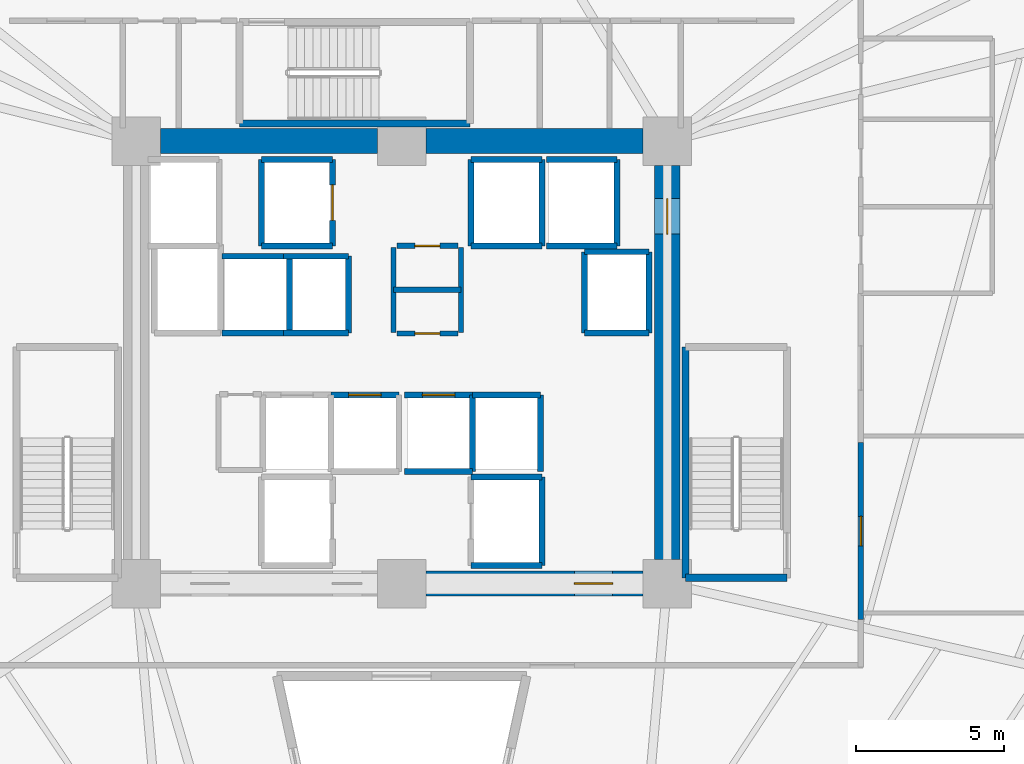
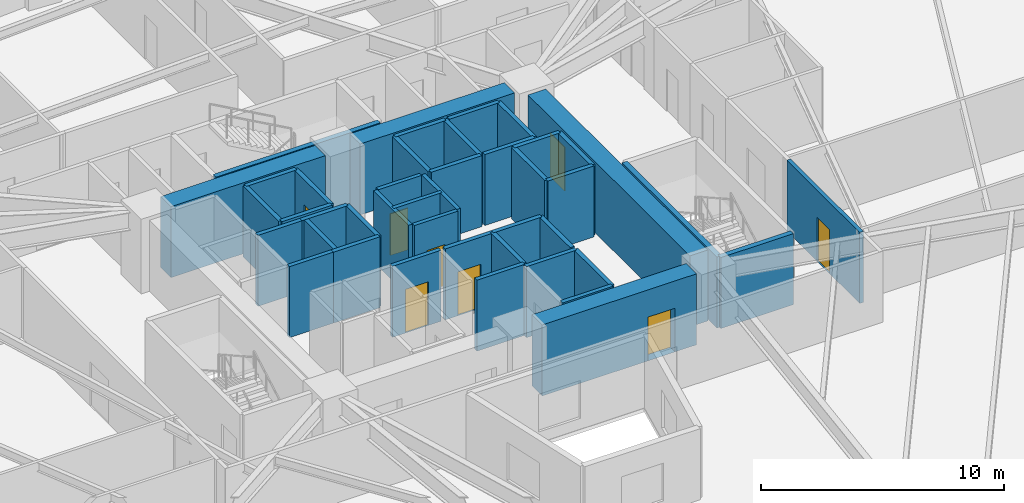
# One storey, part 5 of 8: 43 walls, 8 doors, 8 openings.
"""IFC4 building model written with IfcOpenShell, lengths in metres."""

from ifc_helpers import new_model, si_unit, direction, frame, frame_2d, origin, place, context, subcontext, project, spatial, rectangle, extrude, source, transform, mapped, material, layer, layer_set, type_object, element, fill, save


model = new_model("IFC4")

# Units and contexts
model_context = context("Model", 3, precision=1e-05, world=origin(), true_north=direction((0.0, 1.0)))
body_context = subcontext(model_context, "Body", "Model", "MODEL_VIEW")
ifc_project = project(units=[si_unit("LENGTHUNIT", "METRE"), si_unit("AREAUNIT", "SQUARE_METRE"), si_unit("VOLUMEUNIT", "CUBIC_METRE"), si_unit("PLANEANGLEUNIT", "RADIAN"), si_unit("MASSUNIT", "GRAM", prefix="KILO")], contexts=[model_context])

# Site, building, storey
site_placement = place(None, origin())
site = spatial("IfcSite", under=ifc_project, at=site_placement, CompositionType="ELEMENT")
building_placement = place(site_placement, origin())
building = spatial("IfcBuilding", under=site, at=building_placement, Name="Liaohun Quay Tower", CompositionType="ELEMENT")
storey_placement = place(building_placement, frame((0.0, 0.0, 85.5)))
storey = spatial("IfcBuildingStorey", under=building, at=storey_placement, Name="L22", CompositionType="ELEMENT", Elevation=85.5)

# Walls
ifc_material_1 = material(Name="Concrete C60", Category="concrete")
ifc_layer_1 = layer(ifc_material_1, 0.85009765625, Name="Concrete C60", Category="concrete")
ifc_layer_set_1 = layer_set([ifc_layer_1], Name="Concrete C60")
wall_type_1 = type_object("IfcWallType", Name="WAL-COR-Z1", PredefinedType="SHEAR", material=ifc_layer_set_1)
for number, where, z_axis, x_axis, name in (
    (1, (51.824951171875, 61.5, 0.0), (0.0, 0.0, 1.0), (1.0, 0.0, 0.0), "L22 Central Core Shear Wall N-W"),
    (2, (60.824951171875, 61.5, 0.0), (0.0, 0.0, 1.0), (1.0, 0.0, 0.0), "L22 Central Core Shear Wall N-E"),
):
    element("IfcWall", number, at=place(storey_placement, frame(where, z_axis=z_axis, x_axis=x_axis)), inside=storey, type_object=wall_type_1, Name=name, PredefinedType="SHEAR", context=body_context, shape_type="SweptSolid", body=[
        extrude(rectangle(XDim=7.35009765625, YDim=0.85009765625, at=frame_2d((3.675048828125, 0.0))), origin(), (0.0, 0.0, 1.0), 3.570068359375),
    ])

# Wall, opening, door
wall_1_placement = place(storey_placement, frame((69.0, 60.675048828125, 0.0), z_axis=(0.0, 0.0, 1.0), x_axis=(0.0, -1.0, 0.0)))
wall_1 = element("IfcWall", 3, at=wall_1_placement, inside=storey, type_object=wall_type_1, Name="L22 Central Core Shear Wall E", PredefinedType="SHEAR", context=body_context, shape_type="SweptSolid", body=[
    extrude(rectangle(XDim=13.35009765625, YDim=0.85009765625, at=frame_2d((6.675048828125, 0.0))), origin(), (0.0, 0.0, 1.0), 3.570068359375),
])
shared_shape_1 = source(origin(), body_context, "Body", "SweptSolid", [
    extrude(rectangle(XDim=1.199951171875, YDim=2.199951171875, at=frame_2d((0.60009765625, 1.10009765625))), frame((0.0, 0.43505859375, 0.0), z_axis=(0.0, -1.0, 0.0), x_axis=(1.0, 0.0, 0.0)), (0.0, 0.0, 1.0), 0.8701171875),
])
opening_1_placement = place(wall_1_placement, frame((1.125, 0.0, 0.0)))
opening_1 = element("IfcOpeningElement", 4, at=opening_1_placement, cuts=wall_1, Name="Opening SD1", PredefinedType="OPENING", context=body_context, shape_type="MappedRepresentation", body=[
    mapped(shared_shape_1, transform((0.0, 0.0, 0.0), x_axis=(1.0, 0.0, 0.0), y_axis=(0.0, 1.0, 0.0), z_axis=(0.0, 0.0, 1.0), scale=1.0)),
])
ifc_material_2 = material(Name="Galvanised steel fire door", Category="steel")
door_type_1 = type_object("IfcDoorType", Name="DOR-STR-1200", OperationType="NOTDEFINED", PredefinedType="DOOR", material=ifc_material_2)
shared_shape_2 = source(origin(), body_context, "Body", "SweptSolid", [
    extrude(rectangle(XDim=1.199951171875, YDim=2.199951171875, at=frame_2d((0.60009765625, 1.10009765625))), frame((0.0, 0.02490234375, 0.0), z_axis=(0.0, -1.0, 0.0), x_axis=(1.0, 0.0, 0.0)), (0.0, 0.0, 1.0), 0.050048828125),
])
door_1_placement = place(opening_1_placement, origin())
door_1 = element("IfcDoor", 5, at=door_1_placement, inside=storey, type_object=door_type_1, Name="L22 North-East Core Lobby Smokeproof Door", OperationType="SINGLE_SWING_LEFT", OverallHeight=2.199951171875, OverallWidth=1.199951171875, PredefinedType="DOOR", context=body_context, shape_type="MappedRepresentation", body=[
    mapped(shared_shape_2, transform((0.0, 0.0, 0.0), x_axis=(1.0, 0.0, 0.0), y_axis=(0.0, 1.0, 0.0), z_axis=(0.0, 0.0, 1.0), scale=1.0)),
])
fill(opening_1, door_1)

wall_2_placement = place(storey_placement, frame((68.175048828125, 46.5, 0.0), z_axis=(0.0, 0.0, 1.0), x_axis=(-1.0, 0.0, 0.0)))
wall_2 = element("IfcWall", 6, at=wall_2_placement, inside=storey, type_object=wall_type_1, Name="L22 Central Core Shear Wall S-E", PredefinedType="SHEAR", context=body_context, shape_type="SweptSolid", body=[
    extrude(rectangle(XDim=7.35009765625, YDim=0.85009765625, at=frame_2d((3.675048828125, 0.0))), origin(), (0.0, 0.0, 1.0), 3.570068359375),
])
shared_shape_3 = source(origin(), body_context, "Body", "SweptSolid", [
    extrude(rectangle(XDim=1.300048828125, YDim=2.199951171875, at=frame_2d((0.64990234375, 1.10009765625))), frame((0.0, 0.43505859375, 0.0), z_axis=(0.0, -1.0, 0.0), x_axis=(1.0, 0.0, 0.0)), (0.0, 0.0, 1.0), 0.8701171875),
])
opening_2_placement = place(wall_2_placement, frame((1.02490234375, 0.0, 0.0)))
opening_2 = element("IfcOpeningElement", 7, at=opening_2_placement, cuts=wall_2, Name="Opening FD1", PredefinedType="OPENING", context=body_context, shape_type="MappedRepresentation", body=[
    mapped(shared_shape_3, transform((0.0, 0.0, 0.0), x_axis=(1.0, 0.0, 0.0), y_axis=(0.0, 1.0, 0.0), z_axis=(0.0, 0.0, 1.0), scale=1.0)),
])
ifc_material_3 = material(Name="Galvanised steel smokeproof fire door", Category="steel")
door_type_2 = type_object("IfcDoorType", Name="DOR-FFL-1300", OperationType="NOTDEFINED", PredefinedType="DOOR", material=ifc_material_3)
shared_shape_4 = source(origin(), body_context, "Body", "SweptSolid", [
    extrude(rectangle(XDim=1.300048828125, YDim=2.199951171875, at=frame_2d((0.64990234375, 1.10009765625))), frame((0.0, 0.02490234375, 0.0), z_axis=(0.0, -1.0, 0.0), x_axis=(1.0, 0.0, 0.0)), (0.0, 0.0, 1.0), 0.050048828125),
])
door_2_placement = place(opening_2_placement, origin())
door_2 = element("IfcDoor", 8, at=door_2_placement, inside=storey, type_object=door_type_2, Name="L22 East Core Lift Lobby Smokeproof Door", OperationType="SINGLE_SWING_LEFT", OverallHeight=2.199951171875, OverallWidth=1.300048828125, PredefinedType="DOOR", context=body_context, shape_type="MappedRepresentation", body=[
    mapped(shared_shape_4, transform((0.0, 0.0, 0.0), x_axis=(1.0, 0.0, 0.0), y_axis=(0.0, 1.0, 0.0), z_axis=(0.0, 0.0, 1.0), scale=1.0)),
])
fill(opening_2, door_2)

ifc_material_4 = material(Name="Autoclaved aerated concrete blockwork", Category="masonry")
ifc_layer_2 = layer(ifc_material_4, 0.179931640625, Name="Autoclaved aerated concrete blockwork", Category="masonry")
ifc_layer_set_2 = layer_set([ifc_layer_2], Name="Autoclaved aerated concrete blockwork")
wall_type_2 = type_object("IfcWallType", Name="WAL-PRT-COR", PredefinedType="PARTITIONING", material=ifc_layer_set_2)
wall_3_placement = place(storey_placement, frame((59.840087890625, 54.97998046875, 0.0), z_axis=(0.0, 0.0, 1.0), x_axis=(1.0, 0.0, 0.0)))
wall_3 = element("IfcWall", 9, at=wall_3_placement, inside=storey, type_object=wall_type_2, Name="L22 Interior Partition Wall 001", PredefinedType="PARTITIONING", context=body_context, shape_type="SweptSolid", body=[
    extrude(rectangle(XDim=2.059814453125, YDim=0.179931640625, at=frame_2d((1.02978515625, 0.0))), origin(), (0.0, 0.0, 1.0), 3.570068359375),
])
shared_shape_5 = source(origin(), body_context, "Body", "SweptSolid", [
    extrude(rectangle(XDim=0.85009765625, YDim=2.10009765625, at=frame_2d((0.425048828125, 1.050048828125))), frame((0.0, 0.099853515625, 0.0), z_axis=(0.0, -1.0, 0.0), x_axis=(1.0, 0.0, 0.0)), (0.0, 0.0, 1.0), 0.199951171875),
])
opening_3_placement = place(wall_3_placement, frame((0.60498046875, 0.0, 0.0)))
opening_3 = element("IfcOpeningElement", 10, at=opening_3_placement, cuts=wall_3, Name="Opening AD1", PredefinedType="OPENING", context=body_context, shape_type="MappedRepresentation", body=[
    mapped(shared_shape_5, transform((0.0, 0.0, 0.0), x_axis=(1.0, 0.0, 0.0), y_axis=(0.0, 1.0, 0.0), z_axis=(0.0, 0.0, 1.0), scale=1.0)),
])
ifc_material_5 = material(Name="Steel riser inspection fire door", Category="steel")
door_type_3 = type_object("IfcDoorType", Name="DOR-SHF-850", OperationType="NOTDEFINED", PredefinedType="DOOR", material=ifc_material_5)
shared_shape_6 = source(origin(), body_context, "Body", "SweptSolid", [
    extrude(rectangle(XDim=0.85009765625, YDim=2.10009765625, at=frame_2d((0.425048828125, 1.050048828125))), frame((0.0, 0.02490234375, 0.0), z_axis=(0.0, -1.0, 0.0), x_axis=(1.0, 0.0, 0.0)), (0.0, 0.0, 1.0), 0.050048828125),
])
door_3_placement = place(opening_3_placement, origin())
door_3 = element("IfcDoor", 11, at=door_3_placement, inside=storey, type_object=door_type_3, Name="L22 Electrical Riser Room Door", OperationType="SINGLE_SWING_LEFT", OverallHeight=2.10009765625, OverallWidth=0.85009765625, PredefinedType="DOOR", context=body_context, shape_type="MappedRepresentation", body=[
    mapped(shared_shape_6, transform((0.0, 0.0, 0.0), x_axis=(1.0, 0.0, 0.0), y_axis=(0.0, 1.0, 0.0), z_axis=(0.0, 0.0, 1.0), scale=1.0)),
])
fill(opening_3, door_3)

wall_4_placement = place(storey_placement, frame((59.840087890625, 57.949951171875, 0.0), z_axis=(0.0, 0.0, 1.0), x_axis=(1.0, 0.0, 0.0)))
wall_4 = element("IfcWall", 12, at=wall_4_placement, inside=storey, type_object=wall_type_2, Name="L22 Interior Partition Wall 002", PredefinedType="PARTITIONING", context=body_context, shape_type="SweptSolid", body=[
    extrude(rectangle(XDim=2.059814453125, YDim=0.179931640625, at=frame_2d((1.02978515625, 0.0))), origin(), (0.0, 0.0, 1.0), 3.570068359375),
])
opening_4_placement = place(wall_4_placement, frame((0.60498046875, 0.0, 0.0)))
opening_4 = element("IfcOpeningElement", 13, at=opening_4_placement, cuts=wall_4, Name="Opening AD1", PredefinedType="OPENING", context=body_context, shape_type="MappedRepresentation", body=[
    mapped(shared_shape_5, transform((0.0, 0.0, 0.0), x_axis=(1.0, 0.0, 0.0), y_axis=(0.0, 1.0, 0.0), z_axis=(0.0, 0.0, 1.0), scale=1.0)),
])
door_4_placement = place(opening_4_placement, origin())
door_4 = element("IfcDoor", 14, at=door_4_placement, inside=storey, type_object=door_type_3, Name="L22 Telecom Comms Closet Door", OperationType="SINGLE_SWING_RIGHT", OverallHeight=2.10009765625, OverallWidth=0.85009765625, PredefinedType="DOOR", context=body_context, shape_type="MappedRepresentation", body=[
    mapped(shared_shape_6, transform((0.0, 0.0, 0.0), x_axis=(1.0, 0.0, 0.0), y_axis=(0.0, 1.0, 0.0), z_axis=(0.0, 0.0, 1.0), scale=1.0)),
])
fill(opening_4, door_4)

wall_5_placement = place(storey_placement, frame((75.56005859375, 51.284912109375, 0.0), z_axis=(0.0, 0.0, 1.0), x_axis=(0.0, -1.0, 0.0)))
wall_5 = element("IfcWall", 15, at=wall_5_placement, inside=storey, type_object=wall_type_2, Name="L22 Interior Partition Wall 023", PredefinedType="PARTITIONING", context=body_context, shape_type="SweptSolid", body=[
    extrude(rectangle(XDim=6.0, YDim=0.179931640625, at=frame_2d((3.0, 0.0))), origin(), (0.0, 0.0, 1.0), 3.570068359375),
])
shared_shape_7 = source(origin(), body_context, "Body", "SweptSolid", [
    extrude(rectangle(XDim=1.0, YDim=2.199951171875, at=frame_2d((0.5, 1.10009765625))), frame((0.0, 0.099853515625, 0.0), z_axis=(0.0, -1.0, 0.0), x_axis=(1.0, 0.0, 0.0)), (0.0, 0.0, 1.0), 0.199951171875),
])
opening_5_placement = place(wall_5_placement, frame((2.5, 0.0, 0.0)))
opening_5 = element("IfcOpeningElement", 16, at=opening_5_placement, cuts=wall_5, Name="Opening OD1", PredefinedType="OPENING", context=body_context, shape_type="MappedRepresentation", body=[
    mapped(shared_shape_7, transform((0.0, 0.0, 0.0), x_axis=(1.0, 0.0, 0.0), y_axis=(0.0, 1.0, 0.0), z_axis=(0.0, 0.0, 1.0), scale=1.0)),
])
ifc_material_6 = material(Name="Solid-core oak veneer timber leaf in steel frame", Category="steel")
door_type_4 = type_object("IfcDoorType", Name="DOR-OFF-1000", OperationType="NOTDEFINED", PredefinedType="DOOR", material=ifc_material_6)
shared_shape_8 = source(origin(), body_context, "Body", "SweptSolid", [
    extrude(rectangle(XDim=1.0, YDim=2.199951171875, at=frame_2d((0.5, 1.10009765625))), frame((0.0, 0.02490234375, 0.0), z_axis=(0.0, -1.0, 0.0), x_axis=(1.0, 0.0, 0.0)), (0.0, 0.0, 1.0), 0.050048828125),
])
door_5_placement = place(opening_5_placement, origin())
door_5 = element("IfcDoor", 17, at=door_5_placement, inside=storey, type_object=door_type_4, Name="L22 Open-Plan Office Workplace 10 Door", OperationType="SINGLE_SWING_LEFT", OverallHeight=2.199951171875, OverallWidth=1.0, PredefinedType="DOOR", context=body_context, shape_type="MappedRepresentation", body=[
    mapped(shared_shape_8, transform((0.0, 0.0, 0.0), x_axis=(1.0, 0.0, 0.0), y_axis=(0.0, 1.0, 0.0), z_axis=(0.0, 0.0, 1.0), scale=1.0)),
])
fill(opening_5, door_5)

# Walls
for number, where, z_axis, x_axis, name in (
    (18, (59.719970703125, 55.02001953125, 0.0), (0.0, 0.0, 1.0), (0.0, 1.0, 0.0), "L22 Interior Partition Wall 024"),
    (19, (62.010009765625, 55.02001953125, 0.0), (0.0, 0.0, 1.0), (0.0, 1.0, 0.0), "L22 Interior Partition Wall 025"),
):
    element("IfcWall", number, at=place(storey_placement, frame(where, z_axis=z_axis, x_axis=x_axis)), inside=storey, type_object=wall_type_2, Name=name, PredefinedType="PARTITIONING", context=body_context, shape_type="SweptSolid", body=[
        extrude(rectangle(XDim=2.8798828125, YDim=0.179931640625, at=frame_2d((1.43994140625, 0.0))), origin(), (0.0, 0.0, 1.0), 3.570068359375),
    ])
wall_6_placement = place(storey_placement, frame((59.719970703125, 56.4599609375, 0.0), z_axis=(0.0, 0.0, 1.0), x_axis=(1.0, 0.0, 0.0)))
element("IfcWall", 20, at=wall_6_placement, inside=storey, type_object=wall_type_2, Name="L22 Interior Partition Wall 026", PredefinedType="PARTITIONING", context=body_context, shape_type="SweptSolid", body=[
    extrude(rectangle(XDim=2.2900390625, YDim=0.179931640625, at=frame_2d((1.14501953125, 0.0))), origin(), (0.0, 0.0, 1.0), 3.570068359375),
])
ifc_material_7 = material(Name="Concrete C50", Category="concrete")
ifc_layer_3 = layer(ifc_material_7, 0.239990234375, Name="Concrete C50", Category="concrete")
ifc_layer_set_3 = layer_set([ifc_layer_3], Name="Concrete C50")
wall_type_3 = type_object("IfcWallType", Name="WAL-SHF-200", PredefinedType="SOLIDWALL", material=ifc_layer_set_3)
wall_7_placement = place(storey_placement, frame((69.6201171875, 46.699951171875, 0.0), z_axis=(0.0, 0.0, 1.0), x_axis=(1.0, 0.0, 0.0)))
element("IfcWall", 21, at=wall_7_placement, inside=storey, type_object=wall_type_3, Name="L22 Stairwell ST-2 Structural Core Wall S", PredefinedType="SOLIDWALL", context=body_context, shape_type="SweptSolid", body=[
    extrude(rectangle(XDim=3.43994140625, YDim=0.239990234375, at=frame_2d((1.719970703125, 0.0))), origin(), (0.0, 0.0, 1.0), 3.570068359375),
])
for number, where, z_axis, x_axis, name in (
    (22, (69.6201171875, 54.52001953125, 0.0), (0.0, 0.0, 1.0), (0.0, -1.0, 0.0), "L22 Stairwell ST-2 Structural Core Wall W"),
    (23, (54.5, 62.10009765625, 0.0), (0.0, 0.0, 1.0), (1.0, 0.0, 0.0), "L22 Stairwell ST-3 Structural Core Wall S"),
):
    element("IfcWall", number, at=place(storey_placement, frame(where, z_axis=z_axis, x_axis=x_axis)), inside=storey, type_object=wall_type_3, Name=name, PredefinedType="SOLIDWALL", context=body_context, shape_type="SweptSolid", body=[
        extrude(rectangle(XDim=7.820068359375, YDim=0.239990234375, at=frame_2d((3.91015625, 0.0))), origin(), (0.0, 0.0, 1.0), 3.570068359375),
    ])
wall_8_placement = place(storey_placement, frame((62.35009765625, 47.1201171875, 0.0), z_axis=(0.0, 0.0, 1.0), x_axis=(1.0, 0.0, 0.0)))
element("IfcWall", 24, at=wall_8_placement, inside=storey, type_object=wall_type_3, Name="L22 Lift FF-02 Hoistway Wall S", PredefinedType="SOLIDWALL", context=body_context, shape_type="SweptSolid", body=[
    extrude(rectangle(XDim=2.39990234375, YDim=0.199951171875, at=frame_2d((1.199951171875, 0.0))), origin(), (0.0, 0.0, 1.0), 3.570068359375),
])
wall_9_placement = place(storey_placement, frame((64.75, 47.1201171875, 0.0), z_axis=(0.0, 0.0, 1.0), x_axis=(0.0, 1.0, 0.0)))
element("IfcWall", 25, at=wall_9_placement, inside=storey, type_object=wall_type_3, Name="L22 Lift FF-02 Hoistway Wall E", PredefinedType="SOLIDWALL", context=body_context, shape_type="SweptSolid", body=[
    extrude(rectangle(XDim=3.0, YDim=0.199951171875, at=frame_2d((1.5, 0.0))), origin(), (0.0, 0.0, 1.0), 3.570068359375),
])
for number, where, z_axis, x_axis, name in (
    (26, (64.75, 50.1201171875, 0.0), (0.0, 0.0, 1.0), (-1.0, 0.0, 0.0), "L22 Lift FF-02 Hoistway Wall N"),
    (27, (55.25, 57.949951171875, 0.0), (0.0, 0.0, 1.0), (1.0, 0.0, 0.0), "L22 Lift FF-03 Hoistway Wall S"),
):
    element("IfcWall", number, at=place(storey_placement, frame(where, z_axis=z_axis, x_axis=x_axis)), inside=storey, type_object=wall_type_3, Name=name, PredefinedType="SOLIDWALL", context=body_context, shape_type="SweptSolid", body=[
        extrude(rectangle(XDim=2.39990234375, YDim=0.199951171875, at=frame_2d((1.199951171875, 0.0))), origin(), (0.0, 0.0, 1.0), 3.570068359375),
    ])

# Wall, opening, door
wall_10_placement = place(storey_placement, frame((57.64990234375, 57.949951171875, 0.0), z_axis=(0.0, 0.0, 1.0), x_axis=(0.0, 1.0, 0.0)))
wall_10 = element("IfcWall", 28, at=wall_10_placement, inside=storey, type_object=wall_type_3, Name="L22 Lift FF-03 Hoistway Wall E", PredefinedType="SOLIDWALL", context=body_context, shape_type="SweptSolid", body=[
    extrude(rectangle(XDim=2.929931640625, YDim=0.199951171875, at=frame_2d((1.46484375, 0.0))), origin(), (0.0, 0.0, 1.0), 3.570068359375),
])
shared_shape_9 = source(origin(), body_context, "Body", "SweptSolid", [
    extrude(rectangle(XDim=1.199951171875, YDim=2.300048828125, at=frame_2d((0.60009765625, 1.14990234375))), frame((0.0, 0.10986328125, 0.0), z_axis=(0.0, -1.0, 0.0), x_axis=(1.0, 0.0, 0.0)), (0.0, 0.0, 1.0), 0.219970703125),
])
opening_6_placement = place(wall_10_placement, frame((0.864990234375, 0.0, 0.0)))
opening_6 = element("IfcOpeningElement", 29, at=opening_6_placement, cuts=wall_10, Name="Opening LD2", PredefinedType="OPENING", context=body_context, shape_type="MappedRepresentation", body=[
    mapped(shared_shape_9, transform((0.0, 0.0, 0.0), x_axis=(1.0, 0.0, 0.0), y_axis=(0.0, 1.0, 0.0), z_axis=(0.0, 0.0, 1.0), scale=1.0)),
])
ifc_material_8 = material(Name="Brushed stainless steel stretcher landing door", Category="steel")
door_type_5 = type_object("IfcDoorType", Name="DOR-LFT-1200", OperationType="SLIDING_TO_LEFT", PredefinedType="DOOR", material=ifc_material_8)
shared_shape_10 = source(origin(), body_context, "Body", "SweptSolid", [
    extrude(rectangle(XDim=1.199951171875, YDim=2.300048828125, at=frame_2d((0.60009765625, 1.14990234375))), frame((0.0, 0.02490234375, 0.0), z_axis=(0.0, -1.0, 0.0), x_axis=(1.0, 0.0, 0.0)), (0.0, 0.0, 1.0), 0.050048828125),
])
door_6_placement = place(opening_6_placement, origin())
door_6 = element("IfcDoor", 30, at=door_6_placement, inside=storey, type_object=door_type_5, Name="L22 Lift FF-03 Sliding Landing Door", OperationType="SLIDING_TO_LEFT", OverallHeight=2.300048828125, OverallWidth=1.199951171875, PredefinedType="DOOR", context=body_context, shape_type="MappedRepresentation", body=[
    mapped(shared_shape_10, transform((0.0, 0.0, 0.0), x_axis=(1.0, 0.0, 0.0), y_axis=(0.0, 1.0, 0.0), z_axis=(0.0, 0.0, 1.0), scale=1.0)),
])
fill(opening_6, door_6)

# Walls
wall_11_placement = place(storey_placement, frame((57.64990234375, 60.8798828125, 0.0), z_axis=(0.0, 0.0, 1.0), x_axis=(-1.0, 0.0, 0.0)))
element("IfcWall", 31, at=wall_11_placement, inside=storey, type_object=wall_type_3, Name="L22 Lift FF-03 Hoistway Wall N", PredefinedType="SOLIDWALL", context=body_context, shape_type="SweptSolid", body=[
    extrude(rectangle(XDim=2.39990234375, YDim=0.199951171875, at=frame_2d((1.199951171875, 0.0))), origin(), (0.0, 0.0, 1.0), 3.570068359375),
])
wall_12_placement = place(storey_placement, frame((55.25, 60.8798828125, 0.0), z_axis=(0.0, 0.0, 1.0), x_axis=(0.0, -1.0, 0.0)))
element("IfcWall", 32, at=wall_12_placement, inside=storey, type_object=wall_type_3, Name="L22 Lift FF-03 Hoistway Wall W", PredefinedType="SOLIDWALL", context=body_context, shape_type="SweptSolid", body=[
    extrude(rectangle(XDim=2.929931640625, YDim=0.199951171875, at=frame_2d((1.46484375, 0.0))), origin(), (0.0, 0.0, 1.0), 3.570068359375),
])
wall_13_placement = place(storey_placement, frame((62.35009765625, 57.949951171875, 0.0), z_axis=(0.0, 0.0, 1.0), x_axis=(1.0, 0.0, 0.0)))
element("IfcWall", 33, at=wall_13_placement, inside=storey, type_object=wall_type_3, Name="L22 Lift OB-01 Hoistway Wall S", PredefinedType="SOLIDWALL", context=body_context, shape_type="SweptSolid", body=[
    extrude(rectangle(XDim=2.39990234375, YDim=0.199951171875, at=frame_2d((1.199951171875, 0.0))), origin(), (0.0, 0.0, 1.0), 3.570068359375),
])
wall_14_placement = place(storey_placement, frame((64.75, 57.949951171875, 0.0), z_axis=(0.0, 0.0, 1.0), x_axis=(0.0, 1.0, 0.0)))
element("IfcWall", 34, at=wall_14_placement, inside=storey, type_object=wall_type_3, Name="L22 Lift OB-01 Hoistway Wall E", PredefinedType="SOLIDWALL", context=body_context, shape_type="SweptSolid", body=[
    extrude(rectangle(XDim=2.929931640625, YDim=0.199951171875, at=frame_2d((1.46484375, 0.0))), origin(), (0.0, 0.0, 1.0), 3.570068359375),
])
wall_15_placement = place(storey_placement, frame((64.75, 60.8798828125, 0.0), z_axis=(0.0, 0.0, 1.0), x_axis=(-1.0, 0.0, 0.0)))
element("IfcWall", 35, at=wall_15_placement, inside=storey, type_object=wall_type_3, Name="L22 Lift OB-01 Hoistway Wall N", PredefinedType="SOLIDWALL", context=body_context, shape_type="SweptSolid", body=[
    extrude(rectangle(XDim=2.39990234375, YDim=0.199951171875, at=frame_2d((1.199951171875, 0.0))), origin(), (0.0, 0.0, 1.0), 3.570068359375),
])
wall_16_placement = place(storey_placement, frame((62.35009765625, 60.8798828125, 0.0), z_axis=(0.0, 0.0, 1.0), x_axis=(0.0, -1.0, 0.0)))
element("IfcWall", 36, at=wall_16_placement, inside=storey, type_object=wall_type_3, Name="L22 Lift OB-01 Hoistway Wall W", PredefinedType="SOLIDWALL", context=body_context, shape_type="SweptSolid", body=[
    extrude(rectangle(XDim=2.929931640625, YDim=0.199951171875, at=frame_2d((1.46484375, 0.0))), origin(), (0.0, 0.0, 1.0), 3.570068359375),
])
wall_17_placement = place(storey_placement, frame((64.89990234375, 57.949951171875, 0.0), z_axis=(0.0, 0.0, 1.0), x_axis=(1.0, 0.0, 0.0)))
element("IfcWall", 37, at=wall_17_placement, inside=storey, type_object=wall_type_3, Name="L22 Lift OB-02 Hoistway Wall S", PredefinedType="SOLIDWALL", context=body_context, shape_type="SweptSolid", body=[
    extrude(rectangle(XDim=2.400146484375, YDim=0.199951171875, at=frame_2d((1.2001953125, 0.0))), origin(), (0.0, 0.0, 1.0), 3.570068359375),
])
wall_18_placement = place(storey_placement, frame((67.300048828125, 57.949951171875, 0.0), z_axis=(0.0, 0.0, 1.0), x_axis=(0.0, 1.0, 0.0)))
element("IfcWall", 38, at=wall_18_placement, inside=storey, type_object=wall_type_3, Name="L22 Lift OB-02 Hoistway Wall E", PredefinedType="SOLIDWALL", context=body_context, shape_type="SweptSolid", body=[
    extrude(rectangle(XDim=2.929931640625, YDim=0.199951171875, at=frame_2d((1.46484375, 0.0))), origin(), (0.0, 0.0, 1.0), 3.570068359375),
])
wall_19_placement = place(storey_placement, frame((67.300048828125, 60.8798828125, 0.0), z_axis=(0.0, 0.0, 1.0), x_axis=(-1.0, 0.0, 0.0)))
element("IfcWall", 39, at=wall_19_placement, inside=storey, type_object=wall_type_3, Name="L22 Lift OB-02 Hoistway Wall N", PredefinedType="SOLIDWALL", context=body_context, shape_type="SweptSolid", body=[
    extrude(rectangle(XDim=2.400146484375, YDim=0.199951171875, at=frame_2d((1.2001953125, 0.0))), origin(), (0.0, 0.0, 1.0), 3.570068359375),
])
wall_20_placement = place(storey_placement, frame((66.199951171875, 55.0, 0.0), z_axis=(0.0, 0.0, 1.0), x_axis=(1.0, 0.0, 0.0)))
element("IfcWall", 40, at=wall_20_placement, inside=storey, type_object=wall_type_3, Name="L22 Lift SH-03 Hoistway Wall S", PredefinedType="SOLIDWALL", context=body_context, shape_type="SweptSolid", body=[
    extrude(rectangle(XDim=2.179931640625, YDim=0.199951171875, at=frame_2d((1.08984375, 0.0))), origin(), (0.0, 0.0, 1.0), 3.570068359375),
])
wall_21_placement = place(storey_placement, frame((68.3798828125, 55.0, 0.0), z_axis=(0.0, 0.0, 1.0), x_axis=(0.0, 1.0, 0.0)))
element("IfcWall", 41, at=wall_21_placement, inside=storey, type_object=wall_type_3, Name="L22 Lift SH-03 Hoistway Wall E", PredefinedType="SOLIDWALL", context=body_context, shape_type="SweptSolid", body=[
    extrude(rectangle(XDim=2.75, YDim=0.199951171875, at=frame_2d((1.375, 0.0))), origin(), (0.0, 0.0, 1.0), 3.570068359375),
])
wall_22_placement = place(storey_placement, frame((68.3798828125, 57.75, 0.0), z_axis=(0.0, 0.0, 1.0), x_axis=(-1.0, 0.0, 0.0)))
element("IfcWall", 42, at=wall_22_placement, inside=storey, type_object=wall_type_3, Name="L22 Lift SH-03 Hoistway Wall N", PredefinedType="SOLIDWALL", context=body_context, shape_type="SweptSolid", body=[
    extrude(rectangle(XDim=2.179931640625, YDim=0.199951171875, at=frame_2d((1.08984375, 0.0))), origin(), (0.0, 0.0, 1.0), 3.570068359375),
])
wall_23_placement = place(storey_placement, frame((66.199951171875, 57.75, 0.0), z_axis=(0.0, 0.0, 1.0), x_axis=(0.0, -1.0, 0.0)))
element("IfcWall", 43, at=wall_23_placement, inside=storey, type_object=wall_type_3, Name="L22 Lift SH-03 Hoistway Wall W", PredefinedType="SOLIDWALL", context=body_context, shape_type="SweptSolid", body=[
    extrude(rectangle(XDim=2.75, YDim=0.199951171875, at=frame_2d((1.375, 0.0))), origin(), (0.0, 0.0, 1.0), 3.570068359375),
])

# Wall, opening, door
wall_24_placement = place(storey_placement, frame((59.89990234375, 52.89990234375, 0.0), z_axis=(0.0, 0.0, 1.0), x_axis=(-1.0, 0.0, 0.0)))
wall_24 = element("IfcWall", 44, at=wall_24_placement, inside=storey, type_object=wall_type_3, Name="L22 Lift PL-1B Hoistway Wall N", PredefinedType="SOLIDWALL", context=body_context, shape_type="SweptSolid", body=[
    extrude(rectangle(XDim=2.2998046875, YDim=0.199951171875, at=frame_2d((1.14990234375, 0.0))), origin(), (0.0, 0.0, 1.0), 3.570068359375),
])
shared_shape_11 = source(origin(), body_context, "Body", "SweptSolid", [
    extrude(rectangle(XDim=1.10009765625, YDim=2.199951171875, at=frame_2d((0.550048828125, 1.10009765625))), frame((0.0, 0.10986328125, 0.0), z_axis=(0.0, -1.0, 0.0), x_axis=(1.0, 0.0, 0.0)), (0.0, 0.0, 1.0), 0.219970703125),
])
opening_7_placement = place(wall_24_placement, frame((0.60009765625, 0.0, 0.0)))
opening_7 = element("IfcOpeningElement", 45, at=opening_7_placement, cuts=wall_24, Name="Opening LD1", PredefinedType="OPENING", context=body_context, shape_type="MappedRepresentation", body=[
    mapped(shared_shape_11, transform((0.0, 0.0, 0.0), x_axis=(1.0, 0.0, 0.0), y_axis=(0.0, 1.0, 0.0), z_axis=(0.0, 0.0, 1.0), scale=1.0)),
])
ifc_material_9 = material(Name="Brushed stainless steel landing door", Category="steel")
door_type_6 = type_object("IfcDoorType", Name="DOR-LFT-1100", OperationType="SLIDING_TO_LEFT", PredefinedType="DOOR", material=ifc_material_9)
shared_shape_12 = source(origin(), body_context, "Body", "SweptSolid", [
    extrude(rectangle(XDim=1.10009765625, YDim=2.199951171875, at=frame_2d((0.550048828125, 1.10009765625))), frame((0.0, 0.02490234375, 0.0), z_axis=(0.0, -1.0, 0.0), x_axis=(1.0, 0.0, 0.0)), (0.0, 0.0, 1.0), 0.050048828125),
])
door_7_placement = place(opening_7_placement, origin())
door_7 = element("IfcDoor", 46, at=door_7_placement, inside=storey, type_object=door_type_6, Name="L22 Lift PL-1B Sliding Landing Door", OperationType="SLIDING_TO_LEFT", OverallHeight=2.199951171875, OverallWidth=1.10009765625, PredefinedType="DOOR", context=body_context, shape_type="MappedRepresentation", body=[
    mapped(shared_shape_12, transform((0.0, 0.0, 0.0), x_axis=(1.0, 0.0, 0.0), y_axis=(0.0, 1.0, 0.0), z_axis=(0.0, 0.0, 1.0), scale=1.0)),
])
fill(opening_7, door_7)

# Walls
wall_25_placement = place(storey_placement, frame((60.10009765625, 50.300048828125, 0.0), z_axis=(0.0, 0.0, 1.0), x_axis=(1.0, 0.0, 0.0)))
element("IfcWall", 47, at=wall_25_placement, inside=storey, type_object=wall_type_3, Name="L22 Lift PL-1C Hoistway Wall S", PredefinedType="SOLIDWALL", context=body_context, shape_type="SweptSolid", body=[
    extrude(rectangle(XDim=2.2998046875, YDim=0.199951171875, at=frame_2d((1.14990234375, 0.0))), origin(), (0.0, 0.0, 1.0), 3.570068359375),
])
wall_26_placement = place(storey_placement, frame((62.39990234375, 50.300048828125, 0.0), z_axis=(0.0, 0.0, 1.0), x_axis=(0.0, 1.0, 0.0)))
element("IfcWall", 48, at=wall_26_placement, inside=storey, type_object=wall_type_3, Name="L22 Lift PL-1C Hoistway Wall E", PredefinedType="SOLIDWALL", context=body_context, shape_type="SweptSolid", body=[
    extrude(rectangle(XDim=2.599853515625, YDim=0.199951171875, at=frame_2d((1.2998046875, 0.0))), origin(), (0.0, 0.0, 1.0), 3.570068359375),
])

# Wall, opening, door
wall_27_placement = place(storey_placement, frame((62.39990234375, 52.89990234375, 0.0), z_axis=(0.0, 0.0, 1.0), x_axis=(-1.0, 0.0, 0.0)))
wall_27 = element("IfcWall", 49, at=wall_27_placement, inside=storey, type_object=wall_type_3, Name="L22 Lift PL-1C Hoistway Wall N", PredefinedType="SOLIDWALL", context=body_context, shape_type="SweptSolid", body=[
    extrude(rectangle(XDim=2.2998046875, YDim=0.199951171875, at=frame_2d((1.14990234375, 0.0))), origin(), (0.0, 0.0, 1.0), 3.570068359375),
])
opening_8_placement = place(wall_27_placement, frame((0.60009765625, 0.0, 0.0)))
opening_8 = element("IfcOpeningElement", 50, at=opening_8_placement, cuts=wall_27, Name="Opening LD1", PredefinedType="OPENING", context=body_context, shape_type="MappedRepresentation", body=[
    mapped(shared_shape_11, transform((0.0, 0.0, 0.0), x_axis=(1.0, 0.0, 0.0), y_axis=(0.0, 1.0, 0.0), z_axis=(0.0, 0.0, 1.0), scale=1.0)),
])
door_8_placement = place(opening_8_placement, origin())
door_8 = element("IfcDoor", 51, at=door_8_placement, inside=storey, type_object=door_type_6, Name="L22 Lift PL-1C Sliding Landing Door", OperationType="SLIDING_TO_LEFT", OverallHeight=2.199951171875, OverallWidth=1.10009765625, PredefinedType="DOOR", context=body_context, shape_type="MappedRepresentation", body=[
    mapped(shared_shape_12, transform((0.0, 0.0, 0.0), x_axis=(1.0, 0.0, 0.0), y_axis=(0.0, 1.0, 0.0), z_axis=(0.0, 0.0, 1.0), scale=1.0)),
])
fill(opening_8, door_8)

# Walls
wall_28_placement = place(storey_placement, frame((64.699951171875, 50.300048828125, 0.0), z_axis=(0.0, 0.0, 1.0), x_axis=(0.0, 1.0, 0.0)))
element("IfcWall", 52, at=wall_28_placement, inside=storey, type_object=wall_type_3, Name="L22 Lift PL-2A Hoistway Wall E", PredefinedType="SOLIDWALL", context=body_context, shape_type="SweptSolid", body=[
    extrude(rectangle(XDim=2.599853515625, YDim=0.199951171875, at=frame_2d((1.2998046875, 0.0))), origin(), (0.0, 0.0, 1.0), 3.570068359375),
])
for number, where, z_axis, x_axis, name in (
    (53, (64.699951171875, 52.89990234375, 0.0), (0.0, 0.0, 1.0), (-1.0, 0.0, 0.0), "L22 Lift PL-2A Hoistway Wall N"),
    (54, (53.89990234375, 55.0, 0.0), (0.0, 0.0, 1.0), (1.0, 0.0, 0.0), "L22 Lift PL-2B Hoistway Wall S"),
):
    element("IfcWall", number, at=place(storey_placement, frame(where, z_axis=z_axis, x_axis=x_axis)), inside=storey, type_object=wall_type_3, Name=name, PredefinedType="SOLIDWALL", context=body_context, shape_type="SweptSolid", body=[
        extrude(rectangle(XDim=2.300048828125, YDim=0.199951171875, at=frame_2d((1.14990234375, 0.0))), origin(), (0.0, 0.0, 1.0), 3.570068359375),
    ])
wall_29_placement = place(storey_placement, frame((56.199951171875, 55.0, 0.0), z_axis=(0.0, 0.0, 1.0), x_axis=(0.0, 1.0, 0.0)))
element("IfcWall", 55, at=wall_29_placement, inside=storey, type_object=wall_type_3, Name="L22 Lift PL-2B Hoistway Wall E", PredefinedType="SOLIDWALL", context=body_context, shape_type="SweptSolid", body=[
    extrude(rectangle(XDim=2.60009765625, YDim=0.199951171875, at=frame_2d((1.300048828125, 0.0))), origin(), (0.0, 0.0, 1.0), 3.570068359375),
])
wall_30_placement = place(storey_placement, frame((56.199951171875, 57.60009765625, 0.0), z_axis=(0.0, 0.0, 1.0), x_axis=(-1.0, 0.0, 0.0)))
element("IfcWall", 56, at=wall_30_placement, inside=storey, type_object=wall_type_3, Name="L22 Lift PL-2B Hoistway Wall N", PredefinedType="SOLIDWALL", context=body_context, shape_type="SweptSolid", body=[
    extrude(rectangle(XDim=2.300048828125, YDim=0.199951171875, at=frame_2d((1.14990234375, 0.0))), origin(), (0.0, 0.0, 1.0), 3.570068359375),
])
wall_31_placement = place(storey_placement, frame((56.0, 55.0, 0.0), z_axis=(0.0, 0.0, 1.0), x_axis=(1.0, 0.0, 0.0)))
element("IfcWall", 57, at=wall_31_placement, inside=storey, type_object=wall_type_3, Name="L22 Lift PL-2C Hoistway Wall S", PredefinedType="SOLIDWALL", context=body_context, shape_type="SweptSolid", body=[
    extrude(rectangle(XDim=2.199951171875, YDim=0.199951171875, at=frame_2d((1.10009765625, 0.0))), origin(), (0.0, 0.0, 1.0), 3.570068359375),
])
wall_32_placement = place(storey_placement, frame((58.199951171875, 55.0, 0.0), z_axis=(0.0, 0.0, 1.0), x_axis=(0.0, 1.0, 0.0)))
element("IfcWall", 58, at=wall_32_placement, inside=storey, type_object=wall_type_3, Name="L22 Lift PL-2C Hoistway Wall E", PredefinedType="SOLIDWALL", context=body_context, shape_type="SweptSolid", body=[
    extrude(rectangle(XDim=2.60009765625, YDim=0.199951171875, at=frame_2d((1.300048828125, 0.0))), origin(), (0.0, 0.0, 1.0), 3.570068359375),
])
wall_33_placement = place(storey_placement, frame((58.199951171875, 57.60009765625, 0.0), z_axis=(0.0, 0.0, 1.0), x_axis=(-1.0, 0.0, 0.0)))
element("IfcWall", 59, at=wall_33_placement, inside=storey, type_object=wall_type_3, Name="L22 Lift PL-2C Hoistway Wall N", PredefinedType="SOLIDWALL", context=body_context, shape_type="SweptSolid", body=[
    extrude(rectangle(XDim=2.199951171875, YDim=0.199951171875, at=frame_2d((1.10009765625, 0.0))), origin(), (0.0, 0.0, 1.0), 3.570068359375),
])

save(model, "model.ifc")
